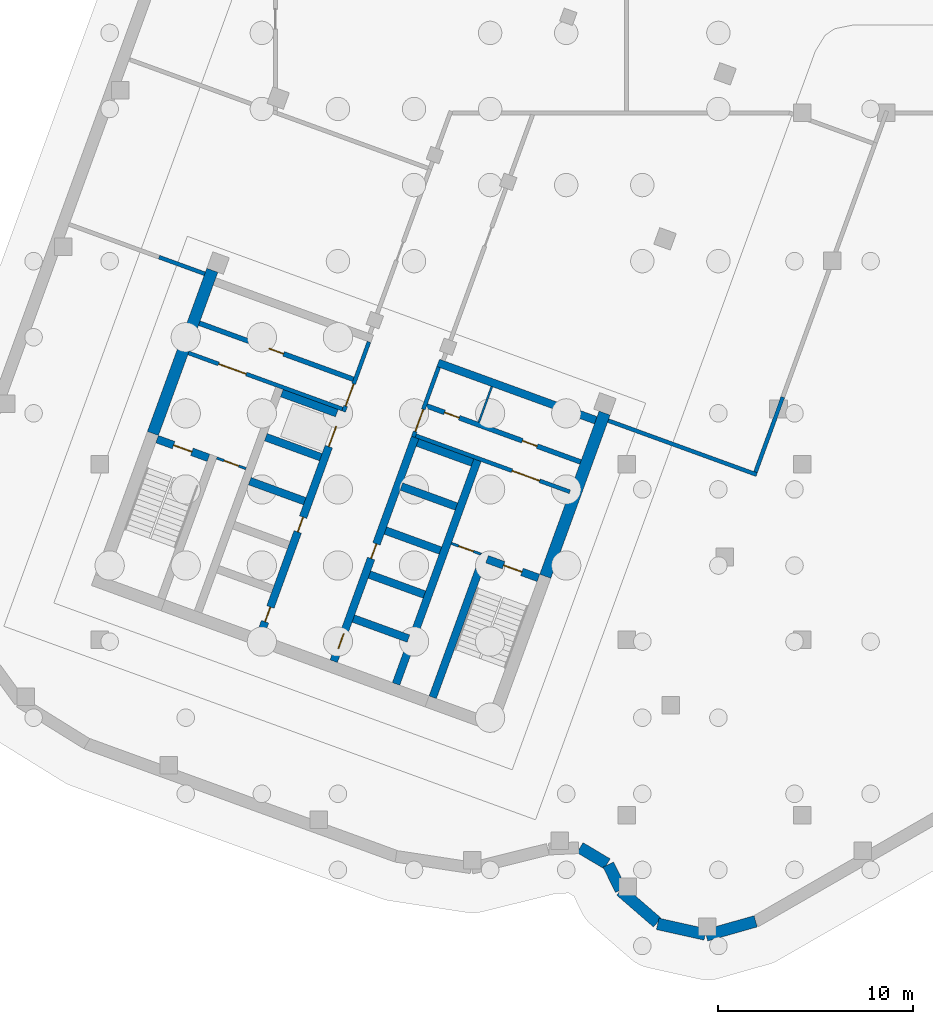
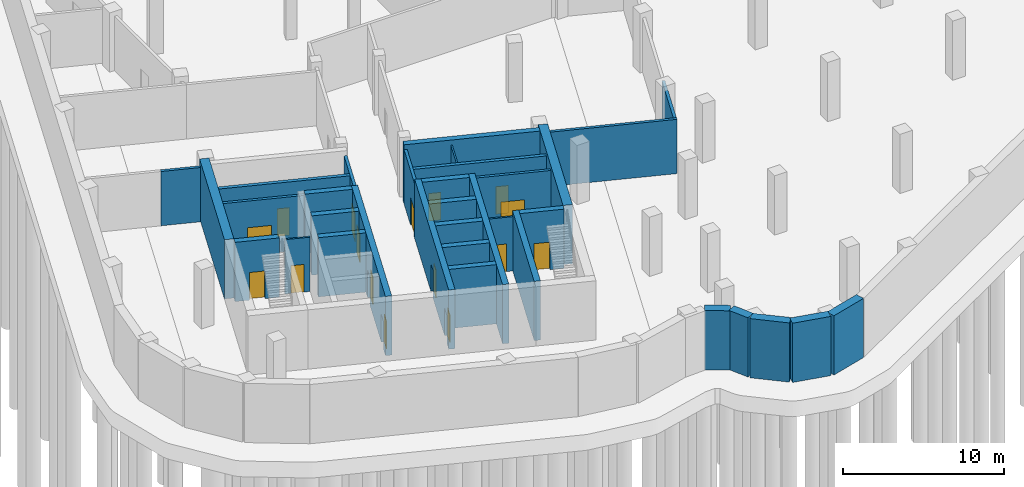
# One storey, part 5 of 18: 34 walls, 16 doors, 16 openings.
"""IFC4 building model written with IfcOpenShell, lengths in metres."""

from ifc_helpers import new_model, si_unit, direction, frame, frame_2d, origin, place, context, subcontext, project, spatial, rectangle, extrude, material, layer, layer_set, type_object, element, fill, save


model = new_model("IFC4")

# Units and contexts
model_context = context("Model", 3, precision=1e-05, world=origin(), true_north=direction((0.0, 1.0)))
body_context = subcontext(model_context, "Body", "Model", "MODEL_VIEW")
ifc_project = project(units=[si_unit("LENGTHUNIT", "METRE"), si_unit("AREAUNIT", "SQUARE_METRE"), si_unit("VOLUMEUNIT", "CUBIC_METRE"), si_unit("PLANEANGLEUNIT", "RADIAN"), si_unit("MASSUNIT", "GRAM", prefix="KILO")], contexts=[model_context])

# Site, building, storey
site_placement = place(None, origin())
site = spatial("IfcSite", under=ifc_project, at=site_placement, CompositionType="ELEMENT")
building_placement = place(site_placement, origin())
building = spatial("IfcBuilding", under=site, at=building_placement, Name="Skarvind Civic Tower", CompositionType="ELEMENT")
storey_placement = place(building_placement, frame((0.0, 0.0, -9.0)))
storey = spatial("IfcBuildingStorey", under=building, at=storey_placement, Name="B2", CompositionType="ELEMENT", Elevation=-9.0)

# Walls
ifc_material_1 = material(Name="Concrete C40", Category="concrete")
ifc_layer_1 = layer(ifc_material_1, 0.60009765625)
ifc_layer_set_1 = layer_set([ifc_layer_1], Name="Basement retaining wall 600 C40")
wall_type_1 = type_object("IfcWallType", Name="Basement retaining wall 600 C40", PredefinedType="SHEAR", material=ifc_layer_set_1)
wall_1_placement = place(storey_placement, frame((52.61181640625, 67.563232421875, 0.0), z_axis=(0.0, 0.0, 1.0), x_axis=(-0.962094751735, -0.272715398693, 0.0)))
element("IfcWall", 1, at=wall_1_placement, inside=storey, type_object=wall_type_1, Name="Basement retaining wall B2 1", PredefinedType="SHEAR", context=body_context, shape_type="SweptSolid", body=[
    extrude(rectangle(XDim=2.63720703125, YDim=0.60009765625, at=frame_2d((1.318603515625, 0.0))), origin(), (0.0, 0.0, 1.0), 4.5),
])
for number, where, z_axis, x_axis, name in (
    (2, (50.026123046875, 66.891845703125, 0.0), (0.0, 0.0, 1.0), (-0.976164051625, 0.217033970416, 0.0), "Basement retaining wall B2 2"),
    (3, (47.568603515625, 67.498779296875, 0.0), (0.0, 0.0, 1.0), (-0.755795518898, 0.654807707357, 0.0), "Basement retaining wall B2 3"),
):
    element("IfcWall", number, at=place(storey_placement, frame(where, z_axis=z_axis, x_axis=x_axis)), inside=storey, type_object=wall_type_1, Name=name, PredefinedType="SHEAR", context=body_context, shape_type="SweptSolid", body=[
        extrude(rectangle(XDim=2.497314453125, YDim=0.60009765625, at=frame_2d((1.24853515625, 0.0))), origin(), (0.0, 0.0, 1.0), 4.5),
    ])
wall_2_placement = place(storey_placement, frame((45.689208984375, 69.1728515625, 0.0), z_axis=(0.0, 0.0, 1.0), x_axis=(-0.435706421579, 0.900088836835, 0.0)))
element("IfcWall", 4, at=wall_2_placement, inside=storey, type_object=wall_type_1, Name="Basement retaining wall B2 4", PredefinedType="SHEAR", context=body_context, shape_type="SweptSolid", body=[
    extrude(rectangle(XDim=1.447265625, YDim=0.60009765625, at=frame_2d((0.7236328125, 0.0))), origin(), (0.0, 0.0, 1.0), 4.5),
])
wall_3_placement = place(storey_placement, frame((44.998291015625, 70.511474609375, 0.0), z_axis=(0.0, 0.0, 1.0), x_axis=(-0.859405023985, 0.511295418275, 0.0)))
element("IfcWall", 5, at=wall_3_placement, inside=storey, type_object=wall_type_1, Name="Basement retaining wall B2 5", PredefinedType="SHEAR", context=body_context, shape_type="SweptSolid", body=[
    extrude(rectangle(XDim=1.6171875, YDim=0.60009765625, at=frame_2d((0.80859375, 0.0))), origin(), (0.0, 0.0, 1.0), 4.5),
])

# Wall, opening, door
ifc_material_2 = material(Name="Fire-rated masonry partition", Category="masonry")
ifc_layer_2 = layer(ifc_material_2, 0.199951171875)
ifc_layer_set_2 = layer_set([ifc_layer_2], Name="Core enclosure wall 200")
wall_type_2 = type_object("IfcWallType", Name="Core enclosure wall 200", PredefinedType="PARTITIONING", material=ifc_layer_set_2)
wall_4_placement = place(storey_placement, frame((31.491455078125, 93.693359375, 0.0), z_axis=(0.0, 0.0, 1.0), x_axis=(0.341995824804, 0.939701471648, 0.0)))
wall_4 = element("IfcWall", 6, at=wall_4_placement, inside=storey, type_object=wall_type_2, Name="Core wall C2", PredefinedType="PARTITIONING", context=body_context, shape_type="SweptSolid", body=[
    extrude(rectangle(XDim=3.800048828125, YDim=0.199951171875, at=frame_2d((1.89990234375, 0.0))), origin(), (0.0, 0.0, 1.0), 4.125),
])
opening_1_placement = place(wall_4_placement, frame((0.300048828125, 0.0, 0.0)))
opening_1 = element("IfcOpeningElement", 7, at=opening_1_placement, cuts=wall_4, Name="Opening D-B2-C2-06", PredefinedType="OPENING", context=body_context, shape_type="SweptSolid", body=[
    extrude(rectangle(XDim=1.199951171875, YDim=2.10009765625, at=frame_2d((0.60009765625, 1.050048828125))), frame((0.0, 0.10986328125, 0.0), z_axis=(0.0, -1.0, 0.0), x_axis=(1.0, 0.0, 0.0)), (0.0, 0.0, 1.0), 0.219970703125),
])
ifc_material_3 = material(Name="Fire-rated steel door", Category="steel")
door_type_1 = type_object("IfcDoorType", Name="Core lobby door 1200", OperationType="NOTDEFINED", PredefinedType="DOOR", material=ifc_material_3)
door_1_placement = place(opening_1_placement, origin())
door_1 = element("IfcDoor", 8, at=door_1_placement, inside=storey, type_object=door_type_1, Name="Fire door", OperationType="DOUBLE_DOOR_SINGLE_SWING", OverallHeight=2.10009765625, OverallWidth=1.199951171875, PredefinedType="DOOR", context=body_context, shape_type="SweptSolid", body=[
    extrude(rectangle(XDim=1.199951171875, YDim=2.10009765625, at=frame_2d((0.60009765625, 1.050048828125))), frame((0.0, 0.02490234375, 0.0), z_axis=(0.0, -1.0, 0.0), x_axis=(1.0, 0.0, 0.0)), (0.0, 0.0, 1.0), 0.050048828125),
])
fill(opening_1, door_1)

wall_5_placement = place(storey_placement, frame((23.5380859375, 96.6943359375, 0.0), z_axis=(0.0, 0.0, 1.0), x_axis=(0.939691552312, -0.342023078919, 0.0)))
wall_5 = element("IfcWall", 9, at=wall_5_placement, inside=storey, type_object=wall_type_2, Name="Core wall C2", PredefinedType="PARTITIONING", context=body_context, shape_type="SweptSolid", body=[
    extrude(rectangle(XDim=8.400146484375, YDim=0.199951171875, at=frame_2d((4.2001953125, 0.0))), origin(), (0.0, 0.0, 1.0), 4.125),
])
opening_2_placement = place(wall_5_placement, frame((1.64990234375, 0.0, 0.0)))
opening_2 = element("IfcOpeningElement", 10, at=opening_2_placement, cuts=wall_5, Name="Opening D-B2-C2-07", PredefinedType="OPENING", context=body_context, shape_type="SweptSolid", body=[
    extrude(rectangle(XDim=1.5, YDim=2.10009765625, at=frame_2d((0.75, 1.050048828125))), frame((0.0, 0.10986328125, 0.0), z_axis=(0.0, -1.0, 0.0), x_axis=(1.0, 0.0, 0.0)), (0.0, 0.0, 1.0), 0.219970703125),
])
door_type_2 = type_object("IfcDoorType", Name="Fire door 1500", OperationType="NOTDEFINED", PredefinedType="DOOR", material=ifc_material_3)
door_2_placement = place(opening_2_placement, origin())
door_2 = element("IfcDoor", 11, at=door_2_placement, inside=storey, type_object=door_type_2, Name="Fire door", OperationType="DOUBLE_DOOR_SINGLE_SWING", OverallHeight=2.10009765625, OverallWidth=1.5, PredefinedType="DOOR", context=body_context, shape_type="SweptSolid", body=[
    extrude(rectangle(XDim=1.5, YDim=2.10009765625, at=frame_2d((0.75, 1.050048828125))), frame((0.0, 0.02490234375, 0.0), z_axis=(0.0, -1.0, 0.0), x_axis=(1.0, 0.0, 0.0)), (0.0, 0.0, 1.0), 0.050048828125),
])
fill(opening_2, door_2)

wall_6_placement = place(storey_placement, frame((36.36181640625, 95.96435546875, 0.0), z_axis=(0.0, 0.0, 1.0), x_axis=(-0.341995824804, -0.939701471648, 0.0)))
wall_6 = element("IfcWall", 12, at=wall_6_placement, inside=storey, type_object=wall_type_2, Name="Core wall C2", PredefinedType="PARTITIONING", context=body_context, shape_type="SweptSolid", body=[
    extrude(rectangle(XDim=3.800048828125, YDim=0.199951171875, at=frame_2d((1.89990234375, 0.0))), origin(), (0.0, 0.0, 1.0), 4.125),
])
opening_3_placement = place(wall_6_placement, frame((2.300048828125, 0.0, 0.0)))
opening_3 = element("IfcOpeningElement", 13, at=opening_3_placement, cuts=wall_6, Name="Opening D-B2-C2-11", PredefinedType="OPENING", context=body_context, shape_type="SweptSolid", body=[
    extrude(rectangle(XDim=1.199951171875, YDim=2.10009765625, at=frame_2d((0.60009765625, 1.050048828125))), frame((0.0, 0.10986328125, 0.0), z_axis=(0.0, -1.0, 0.0), x_axis=(1.0, 0.0, 0.0)), (0.0, 0.0, 1.0), 0.219970703125),
])
door_3_placement = place(opening_3_placement, origin())
door_3 = element("IfcDoor", 14, at=door_3_placement, inside=storey, type_object=door_type_1, Name="Fire door", OperationType="DOUBLE_DOOR_SINGLE_SWING", OverallHeight=2.10009765625, OverallWidth=1.199951171875, PredefinedType="DOOR", context=body_context, shape_type="SweptSolid", body=[
    extrude(rectangle(XDim=1.199951171875, YDim=2.10009765625, at=frame_2d((0.60009765625, 1.050048828125))), frame((0.0, 0.02490234375, 0.0), z_axis=(0.0, -1.0, 0.0), x_axis=(1.0, 0.0, 0.0)), (0.0, 0.0, 1.0), 0.050048828125),
])
fill(opening_3, door_3)

wall_7_placement = place(storey_placement, frame((35.1904296875, 92.453369140625, 0.0), z_axis=(0.0, 0.0, 1.0), x_axis=(0.939691552312, -0.342023078919, 0.0)))
wall_7 = element("IfcWall", 15, at=wall_7_placement, inside=storey, type_object=wall_type_2, Name="Core wall C2", PredefinedType="PARTITIONING", context=body_context, shape_type="SweptSolid", body=[
    extrude(rectangle(XDim=8.400146484375, YDim=0.199951171875, at=frame_2d((4.2001953125, 0.0))), origin(), (0.0, 0.0, 1.0), 4.125),
])
opening_4_placement = place(wall_7_placement, frame((5.25, 0.0, 0.0)))
opening_4 = element("IfcOpeningElement", 16, at=opening_4_placement, cuts=wall_7, Name="Opening D-B2-C2-12", PredefinedType="OPENING", context=body_context, shape_type="SweptSolid", body=[
    extrude(rectangle(XDim=1.5, YDim=2.10009765625, at=frame_2d((0.75, 1.050048828125))), frame((0.0, 0.10986328125, 0.0), z_axis=(0.0, -1.0, 0.0), x_axis=(1.0, 0.0, 0.0)), (0.0, 0.0, 1.0), 0.219970703125),
])
door_4_placement = place(opening_4_placement, origin())
door_4 = element("IfcDoor", 17, at=door_4_placement, inside=storey, type_object=door_type_2, Name="Fire door", OperationType="DOUBLE_DOOR_SINGLE_SWING", OverallHeight=2.10009765625, OverallWidth=1.5, PredefinedType="DOOR", context=body_context, shape_type="SweptSolid", body=[
    extrude(rectangle(XDim=1.5, YDim=2.10009765625, at=frame_2d((0.75, 1.050048828125))), frame((0.0, 0.02490234375, 0.0), z_axis=(0.0, -1.0, 0.0), x_axis=(1.0, 0.0, 0.0)), (0.0, 0.0, 1.0), 0.050048828125),
])
fill(opening_4, door_4)

# Walls
ifc_material_4 = material(Name="Fire-rated plasterboard partition")
ifc_layer_3 = layer(ifc_material_4, 0.10009765625)
ifc_layer_set_3 = layer_set([ifc_layer_3], Name="Core partition wall 100")
wall_type_3 = type_object("IfcWallType", Name="Core partition wall 100", PredefinedType="PARTITIONING", material=ifc_layer_set_3)
wall_8_placement = place(storey_placement, frame((39.087158203125, 94.97265625, 0.0), z_axis=(0.0, 0.0, 1.0), x_axis=(-0.342024501273, -0.939691034611, 0.0)))
element("IfcWall", 18, at=wall_8_placement, inside=storey, type_object=wall_type_3, Name="Core wall C2", PredefinedType="PARTITIONING", context=body_context, shape_type="SweptSolid", body=[
    extrude(rectangle(XDim=1.9501953125, YDim=0.10009765625, at=frame_2d((0.97509765625, 0.0))), origin(), (0.0, 0.0, 1.0), 4.125),
])
ifc_material_5 = material(Name="Concrete C80", Category="concrete")
ifc_layer_4 = layer(ifc_material_5, 0.39990234375)
ifc_layer_set_4 = layer_set([ifc_layer_4], Name="Core wall 400 C80")
wall_type_4 = type_object("IfcWallType", Name="Core wall 400 C80", PredefinedType="SHEAR", material=ifc_layer_set_4)
wall_9_placement = place(storey_placement, frame((36.057861328125, 79.04833984375, 0.0), z_axis=(0.0, 0.0, 1.0), x_axis=(0.342016982193, 0.939693771338, 0.0)))
element("IfcWall", 19, at=wall_9_placement, inside=storey, type_object=wall_type_4, Name="Core wall C2 south stair inner B2", PredefinedType="SHEAR", context=body_context, shape_type="SweptSolid", body=[
    extrude(rectangle(XDim=7.800048828125, YDim=0.39990234375, at=frame_2d((3.89990234375, 0.0))), origin(), (0.0, 0.0, 1.0), 4.5),
])

# Wall, opening, door
wall_10_placement = place(storey_placement, frame((41.476318359375, 85.163818359375, 0.0), z_axis=(0.0, 0.0, 1.0), x_axis=(-0.939678810556, 0.342058084236, 0.0)))
wall_10 = element("IfcWall", 20, at=wall_10_placement, inside=storey, type_object=wall_type_4, Name="Core wall C2 south stair end B2", PredefinedType="SHEAR", context=body_context, shape_type="SweptSolid", body=[
    extrude(rectangle(XDim=2.800048828125, YDim=0.39990234375, at=frame_2d((1.39990234375, 0.0))), origin(), (0.0, 0.0, 1.0), 4.5),
])
opening_5_placement = place(wall_10_placement, frame((0.89990234375, 0.0, 0.0)))
opening_5 = element("IfcOpeningElement", 21, at=opening_5_placement, cuts=wall_10, Name="Opening D-B2-C2-13", PredefinedType="OPENING", context=body_context, shape_type="SweptSolid", body=[
    extrude(rectangle(XDim=1.0, YDim=2.10009765625, at=frame_2d((0.5, 1.050048828125))), frame((0.0, 0.2099609375, 0.0), z_axis=(0.0, -1.0, 0.0), x_axis=(1.0, 0.0, 0.0)), (0.0, 0.0, 1.0), 0.419921875),
])
door_type_3 = type_object("IfcDoorType", Name="Fire door 1000", OperationType="NOTDEFINED", PredefinedType="DOOR", material=ifc_material_3)
door_5_placement = place(opening_5_placement, origin())
door_5 = element("IfcDoor", 22, at=door_5_placement, inside=storey, type_object=door_type_3, Name="Fire door", OperationType="SINGLE_SWING_RIGHT", OverallHeight=2.10009765625, OverallWidth=1.0, PredefinedType="DOOR", context=body_context, shape_type="SweptSolid", body=[
    extrude(rectangle(XDim=1.0, YDim=2.10009765625, at=frame_2d((0.5, 1.050048828125))), frame((0.0, 0.02490234375, 0.0), z_axis=(0.0, -1.0, 0.0), x_axis=(1.0, 0.0, 0.0)), (0.0, 0.0, 1.0), 0.050048828125),
])
fill(opening_5, door_5)

wall_11_placement = place(storey_placement, frame((24.56201171875, 91.3203125, 0.0), z_axis=(0.0, 0.0, 1.0), x_axis=(-0.939717030584, 0.341953070509, 0.0)))
wall_11 = element("IfcWall", 23, at=wall_11_placement, inside=storey, type_object=wall_type_4, Name="Core wall C2 north stair end B2", PredefinedType="SHEAR", context=body_context, shape_type="SweptSolid", body=[
    extrude(rectangle(XDim=2.800048828125, YDim=0.39990234375, at=frame_2d((1.39990234375, 0.0))), origin(), (0.0, 0.0, 1.0), 4.5),
])
opening_6_placement = place(wall_11_placement, frame((0.89990234375, 0.0, 0.0)))
opening_6 = element("IfcOpeningElement", 24, at=opening_6_placement, cuts=wall_11, Name="Opening D-B2-C2-08", PredefinedType="OPENING", context=body_context, shape_type="SweptSolid", body=[
    extrude(rectangle(XDim=1.0, YDim=2.10009765625, at=frame_2d((0.5, 1.050048828125))), frame((0.0, 0.2099609375, 0.0), z_axis=(0.0, -1.0, 0.0), x_axis=(1.0, 0.0, 0.0)), (0.0, 0.0, 1.0), 0.419921875),
])
door_6_placement = place(opening_6_placement, origin())
door_6 = element("IfcDoor", 25, at=door_6_placement, inside=storey, type_object=door_type_3, Name="Fire door", OperationType="SINGLE_SWING_LEFT", OverallHeight=2.10009765625, OverallWidth=1.0, PredefinedType="DOOR", context=body_context, shape_type="SweptSolid", body=[
    extrude(rectangle(XDim=1.0, YDim=2.10009765625, at=frame_2d((0.5, 1.050048828125))), frame((0.0, 0.02490234375, 0.0), z_axis=(0.0, -1.0, 0.0), x_axis=(1.0, 0.0, 0.0)), (0.0, 0.0, 1.0), 0.050048828125),
])
fill(opening_6, door_6)

# Wall, openings, doors
wall_12_placement = place(storey_placement, frame((30.983642578125, 80.895263671875, 0.0), z_axis=(0.0, 0.0, 1.0), x_axis=(0.342021021735, 0.939692301071, 0.0)))
wall_12 = element("IfcWall", 26, at=wall_12_placement, inside=storey, type_object=wall_type_4, Name="Core wall C2 south lift row front B2", PredefinedType="SHEAR", context=body_context, shape_type="SweptSolid", body=[
    extrude(rectangle(XDim=12.199951171875, YDim=0.39990234375, at=frame_2d((6.10009765625, 0.0))), origin(), (0.0, 0.0, 1.0), 4.5),
])
opening_7_placement = place(wall_12_placement, frame((0.699951171875, 0.0, 0.0)))
opening_7 = element("IfcOpeningElement", 27, at=opening_7_placement, cuts=wall_12, Name="Opening D-B2-C2-04", PredefinedType="OPENING", context=body_context, shape_type="SweptSolid", body=[
    extrude(rectangle(XDim=0.800048828125, YDim=2.10009765625, at=frame_2d((0.39990234375, 1.050048828125))), frame((0.0, 0.2099609375, 0.0), z_axis=(0.0, -1.0, 0.0), x_axis=(1.0, 0.0, 0.0)), (0.0, 0.0, 1.0), 0.419921875),
])
opening_8_placement = place(wall_12_placement, frame((5.60009765625, 0.0, 0.0)))
opening_8 = element("IfcOpeningElement", 28, at=opening_8_placement, cuts=wall_12, Name="Opening D-B2-C2-05", PredefinedType="OPENING", context=body_context, shape_type="SweptSolid", body=[
    extrude(rectangle(XDim=0.800048828125, YDim=2.10009765625, at=frame_2d((0.39990234375, 1.050048828125))), frame((0.0, 0.2099609375, 0.0), z_axis=(0.0, -1.0, 0.0), x_axis=(1.0, 0.0, 0.0)), (0.0, 0.0, 1.0), 0.419921875),
])
door_type_4 = type_object("IfcDoorType", Name="Core riser door 800", OperationType="NOTDEFINED", PredefinedType="DOOR", material=ifc_material_3)
door_7_placement = place(opening_7_placement, origin())
door_7 = element("IfcDoor", 29, at=door_7_placement, inside=storey, type_object=door_type_4, Name="Riser door", OperationType="SINGLE_SWING_LEFT", OverallHeight=2.10009765625, OverallWidth=0.800048828125, PredefinedType="DOOR", context=body_context, shape_type="SweptSolid", body=[
    extrude(rectangle(XDim=0.800048828125, YDim=2.10009765625, at=frame_2d((0.39990234375, 1.050048828125))), frame((0.0, 0.02490234375, 0.0), z_axis=(0.0, -1.0, 0.0), x_axis=(1.0, 0.0, 0.0)), (0.0, 0.0, 1.0), 0.050048828125),
])
fill(opening_7, door_7)
door_8_placement = place(opening_8_placement, origin())
door_8 = element("IfcDoor", 30, at=door_8_placement, inside=storey, type_object=door_type_4, Name="Riser door", OperationType="SINGLE_SWING_RIGHT", OverallHeight=2.10009765625, OverallWidth=0.800048828125, PredefinedType="DOOR", context=body_context, shape_type="SweptSolid", body=[
    extrude(rectangle(XDim=0.800048828125, YDim=2.10009765625, at=frame_2d((0.39990234375, 1.050048828125))), frame((0.0, 0.02490234375, 0.0), z_axis=(0.0, -1.0, 0.0), x_axis=(1.0, 0.0, 0.0)), (0.0, 0.0, 1.0), 0.050048828125),
])
fill(opening_8, door_8)

# Walls
wall_13_placement = place(storey_placement, frame((34.178466796875, 79.732177734375, 0.0), z_axis=(0.0, 0.0, 1.0), x_axis=(0.342014590177, 0.939694641948, 0.0)))
element("IfcWall", 31, at=wall_13_placement, inside=storey, type_object=wall_type_4, Name="Core wall C2 south lift row back B2", PredefinedType="SHEAR", context=body_context, shape_type="SweptSolid", body=[
    extrude(rectangle(XDim=12.2001953125, YDim=0.39990234375, at=frame_2d((6.10009765625, 0.0))), origin(), (0.0, 0.0, 1.0), 4.5),
])
for number, where, z_axis, x_axis, name in (
    (32, (34.8115234375, 82.055908203125, 0.0), (0.0, 0.0, 1.0), (-0.939686455819, 0.342037080957, 0.0), "Core wall C2 south lift row division 1 B2"),
    (33, (35.63232421875, 84.311279296875, 0.0), (0.0, 0.0, 1.0), (-0.939712609717, 0.341965219194, 0.0), "Core wall C2 south lift row division 2 B2"),
    (34, (36.453125, 86.56640625, 0.0), (0.0, 0.0, 1.0), (-0.939686455819, 0.342037080957, 0.0), "Core wall C2 south lift row division 3 B2"),
    (35, (37.27392578125, 88.82177734375, 0.0), (0.0, 0.0, 1.0), (-0.939686455819, 0.342037080957, 0.0), "Core wall C2 south lift row division 4 B2"),
):
    element("IfcWall", number, at=place(storey_placement, frame(where, z_axis=z_axis, x_axis=x_axis)), inside=storey, type_object=wall_type_4, Name=name, PredefinedType="SHEAR", context=body_context, shape_type="SweptSolid", body=[
        extrude(rectangle(XDim=3.0, YDim=0.39990234375, at=frame_2d((1.5, 0.0))), origin(), (0.0, 0.0, 1.0), 4.5),
    ])
wall_14_placement = place(storey_placement, frame((38.0947265625, 91.076904296875, 0.0), z_axis=(0.0, 0.0, 1.0), x_axis=(-0.939676934218, 0.342063238742, 0.0)))
element("IfcWall", 36, at=wall_14_placement, inside=storey, type_object=wall_type_4, Name="Core wall C2 south lift row division 5 B2", PredefinedType="SHEAR", context=body_context, shape_type="SweptSolid", body=[
    extrude(rectangle(XDim=2.999755859375, YDim=0.39990234375, at=frame_2d((1.5, 0.0))), origin(), (0.0, 0.0, 1.0), 4.5),
])

# Wall, openings, doors
wall_15_placement = place(storey_placement, frame((27.224853515625, 82.26318359375, 0.0), z_axis=(0.0, 0.0, 1.0), x_axis=(0.342014590177, 0.939694641948, 0.0)))
wall_15 = element("IfcWall", 37, at=wall_15_placement, inside=storey, type_object=wall_type_4, Name="Core wall C2 north lift row front B2", PredefinedType="SHEAR", context=body_context, shape_type="SweptSolid", body=[
    extrude(rectangle(XDim=12.2001953125, YDim=0.39990234375, at=frame_2d((6.10009765625, 0.0))), origin(), (0.0, 0.0, 1.0), 4.5),
])
opening_9_placement = place(wall_15_placement, frame((10.25, 0.0, 0.0)))
opening_9 = element("IfcOpeningElement", 38, at=opening_9_placement, cuts=wall_15, Name="Opening LD00205", PredefinedType="OPENING", context=body_context, shape_type="SweptSolid", body=[
    extrude(rectangle(XDim=1.10009765625, YDim=2.10009765625, at=frame_2d((0.550048828125, 1.050048828125))), frame((0.0, 0.2099609375, 0.0), z_axis=(0.0, -1.0, 0.0), x_axis=(1.0, 0.0, 0.0)), (0.0, 0.0, 1.0), 0.419921875),
])
opening_10_placement = place(wall_15_placement, frame((0.699951171875, 0.0, 0.0)))
opening_10 = element("IfcOpeningElement", 39, at=opening_10_placement, cuts=wall_15, Name="Opening D-B2-C2-02", PredefinedType="OPENING", context=body_context, shape_type="SweptSolid", body=[
    extrude(rectangle(XDim=0.800048828125, YDim=2.10009765625, at=frame_2d((0.39990234375, 1.050048828125))), frame((0.0, 0.2099609375, 0.0), z_axis=(0.0, -1.0, 0.0), x_axis=(1.0, 0.0, 0.0)), (0.0, 0.0, 1.0), 0.419921875),
])
opening_11_placement = place(wall_15_placement, frame((5.60009765625, 0.0, 0.0)))
opening_11 = element("IfcOpeningElement", 40, at=opening_11_placement, cuts=wall_15, Name="Opening D-B2-C2-03", PredefinedType="OPENING", context=body_context, shape_type="SweptSolid", body=[
    extrude(rectangle(XDim=0.800048828125, YDim=2.10009765625, at=frame_2d((0.39990234375, 1.050048828125))), frame((0.0, 0.2099609375, 0.0), z_axis=(0.0, -1.0, 0.0), x_axis=(1.0, 0.0, 0.0)), (0.0, 0.0, 1.0), 0.419921875),
])
door_9_placement = place(opening_10_placement, origin())
door_9 = element("IfcDoor", 41, at=door_9_placement, inside=storey, type_object=door_type_4, Name="Riser door", OperationType="SINGLE_SWING_LEFT", OverallHeight=2.10009765625, OverallWidth=0.800048828125, PredefinedType="DOOR", context=body_context, shape_type="SweptSolid", body=[
    extrude(rectangle(XDim=0.800048828125, YDim=2.10009765625, at=frame_2d((0.39990234375, 1.050048828125))), frame((0.0, 0.02490234375, 0.0), z_axis=(0.0, -1.0, 0.0), x_axis=(1.0, 0.0, 0.0)), (0.0, 0.0, 1.0), 0.050048828125),
])
fill(opening_10, door_9)
door_10_placement = place(opening_11_placement, origin())
door_10 = element("IfcDoor", 42, at=door_10_placement, inside=storey, type_object=door_type_4, Name="Riser door", OperationType="SINGLE_SWING_RIGHT", OverallHeight=2.10009765625, OverallWidth=0.800048828125, PredefinedType="DOOR", context=body_context, shape_type="SweptSolid", body=[
    extrude(rectangle(XDim=0.800048828125, YDim=2.10009765625, at=frame_2d((0.39990234375, 1.050048828125))), frame((0.0, 0.02490234375, 0.0), z_axis=(0.0, -1.0, 0.0), x_axis=(1.0, 0.0, 0.0)), (0.0, 0.0, 1.0), 0.050048828125),
])
fill(opening_11, door_10)
ifc_material_6 = material(Name="Stainless steel landing door", Category="steel")
door_type_5 = type_object("IfcDoorType", Name="Lift landing door 1100", OperationType="DOUBLE_DOOR_SLIDING", PredefinedType="DOOR", material=ifc_material_6)
door_11_placement = place(opening_9_placement, origin())
door_11 = element("IfcDoor", 43, at=door_11_placement, inside=storey, type_object=door_type_5, Name="Lift landing door", OperationType="DOUBLE_DOOR_SLIDING", OverallHeight=2.10009765625, OverallWidth=1.10009765625, PredefinedType="DOOR", context=body_context, shape_type="SweptSolid", body=[
    extrude(rectangle(XDim=1.10009765625, YDim=2.10009765625, at=frame_2d((0.550048828125, 1.050048828125))), frame((0.0, 0.02490234375, 0.0), z_axis=(0.0, -1.0, 0.0), x_axis=(1.0, 0.0, 0.0)), (0.0, 0.0, 1.0), 0.050048828125),
])
fill(opening_9, door_11)

# Walls
for number, where, z_axis, x_axis, name in (
    (44, (29.49951171875, 89.097412109375, 0.0), (0.0, 0.0, 1.0), (-0.939686455819, 0.342037080957, 0.0), "Core wall C2 north lift row division 3 B2"),
    (45, (30.3203125, 91.352783203125, 0.0), (0.0, 0.0, 1.0), (-0.939712609717, 0.341965219194, 0.0), "Core wall C2 north lift row division 4 B2"),
    (46, (31.14111328125, 93.60791015625, 0.0), (0.0, 0.0, 1.0), (-0.939686455819, 0.342037080957, 0.0), "Core wall C2 north lift row division 5 B2"),
):
    element("IfcWall", number, at=place(storey_placement, frame(where, z_axis=z_axis, x_axis=x_axis)), inside=storey, type_object=wall_type_4, Name=name, PredefinedType="SHEAR", context=body_context, shape_type="SweptSolid", body=[
        extrude(rectangle(XDim=3.0, YDim=0.39990234375, at=frame_2d((1.5, 0.0))), origin(), (0.0, 0.0, 1.0), 4.5),
    ])
wall_16_placement = place(storey_placement, frame((44.417724609375, 93.2451171875, 0.0), z_axis=(0.0, 0.0, 1.0), x_axis=(-0.93969060187, 0.342025690201, 0.0)))
element("IfcWall", 47, at=wall_16_placement, inside=storey, type_object=wall_type_4, Name="Core wall C2 south inner face B2", PredefinedType="SHEAR", context=body_context, shape_type="SweptSolid", body=[
    extrude(rectangle(XDim=8.599853515625, YDim=0.39990234375, at=frame_2d((4.2998046875, 0.0))), origin(), (0.0, 0.0, 1.0), 4.5),
])
ifc_layer_5 = layer(ifc_material_5, 0.60009765625)
ifc_layer_set_5 = layer_set([ifc_layer_5], Name="Core wall 600 C80")
wall_type_5 = type_object("IfcWallType", Name="Core wall 600 C80", PredefinedType="SHEAR", material=ifc_layer_set_5)
for number, where, z_axis, x_axis, name in (
    (48, (41.82666015625, 85.249267578125, 0.0), (0.0, 0.0, 1.0), (0.342016162452, 0.939694069696, 0.0), "Core wall C2 south side B2"),
    (49, (21.71728515625, 92.568359375, 0.0), (0.0, 0.0, 1.0), (0.342016162452, 0.939694069696, 0.0), "Core wall C2 north side B2"),
):
    element("IfcWall", number, at=place(storey_placement, frame(where, z_axis=z_axis, x_axis=x_axis)), inside=storey, type_object=wall_type_5, Name=name, PredefinedType="SHEAR", context=body_context, shape_type="SweptSolid", body=[
        extrude(rectangle(XDim=8.89990234375, YDim=0.60009765625, at=frame_2d((4.449951171875, 0.0))), origin(), (0.0, 0.0, 1.0), 4.5),
    ])
ifc_material_7 = material(Name="Fire-rated blockwork wall, plastered", Category="masonry")
ifc_layer_6 = layer(ifc_material_7, 0.199951171875)
ifc_layer_set_6 = layer_set([ifc_layer_6], Name="FIRE WALL 200 EI 60")
wall_type_6 = type_object("IfcWallType", Name="FIRE WALL 200 EI 60", PredefinedType="PARTITIONING", material=ifc_layer_set_6)
wall_17_placement = place(storey_placement, frame((22.028076171875, 101.60791015625, 0.0), z_axis=(0.0, 0.0, 1.0), x_axis=(0.939559396653, -0.342385952049, 0.0)))
element("IfcWall", 50, at=wall_17_placement, inside=storey, type_object=wall_type_6, Name="Basement partition B2 003", PredefinedType="PARTITIONING", context=body_context, shape_type="SweptSolid", body=[
    extrude(rectangle(XDim=2.5, YDim=0.199951171875, at=frame_2d((1.25, 0.0))), origin(), (0.0, 0.0, 1.0), 4.125),
])
wall_18_placement = place(storey_placement, frame((45.050048828125, 93.22802734375, 0.0), z_axis=(0.0, 0.0, 1.0), x_axis=(0.939696574218, -0.342009281166, 0.0)))
element("IfcWall", 51, at=wall_18_placement, inside=storey, type_object=wall_type_6, Name="Basement partition B2 016", PredefinedType="PARTITIONING", context=body_context, shape_type="SweptSolid", body=[
    extrude(rectangle(XDim=8.099365234375, YDim=0.199951171875, at=frame_2d((4.0498046875, 0.0))), origin(), (0.0, 0.0, 1.0), 4.125),
])
wall_19_placement = place(storey_placement, frame((52.60107421875, 90.5859375, 0.0), z_axis=(0.0, 0.0, 1.0), x_axis=(0.342059390164, 0.939678335177, 0.0)))
element("IfcWall", 52, at=wall_19_placement, inside=storey, type_object=wall_type_6, Name="Basement partition B2 020", PredefinedType="PARTITIONING", context=body_context, shape_type="SweptSolid", body=[
    extrude(rectangle(XDim=4.089599609375, YDim=0.199951171875, at=frame_2d((2.044921875, 0.0))), origin(), (0.0, 0.0, 1.0), 4.125),
])

# Wall, opening, door
ifc_layer_7 = layer(ifc_material_2, 0.125)
ifc_layer_set_7 = layer_set([ifc_layer_7], Name="Riser wall 125")
wall_type_7 = type_object("IfcWallType", Name="Riser wall 125", PredefinedType="PARTITIONING", material=ifc_layer_set_7)
wall_20_placement = place(storey_placement, frame((24.98486328125, 91.3125, 0.0), z_axis=(0.0, 0.0, 1.0), x_axis=(0.939708740826, -0.341975850632, 0.0)))
wall_20 = element("IfcWall", 53, at=wall_20_placement, inside=storey, type_object=wall_type_7, Name="Core wall C2", PredefinedType="PARTITIONING", context=body_context, shape_type="SweptSolid", body=[
    extrude(rectangle(XDim=1.599853515625, YDim=0.125, at=frame_2d((0.7998046875, 0.0))), origin(), (0.0, 0.0, 1.0), 4.125),
])
opening_12_placement = place(wall_20_placement, frame((0.39990234375, 0.0, 0.0)))
opening_12 = element("IfcOpeningElement", 54, at=opening_12_placement, cuts=wall_20, Name="Opening D-B2-C2-09", PredefinedType="OPENING", context=body_context, shape_type="SweptSolid", body=[
    extrude(rectangle(XDim=0.800048828125, YDim=2.10009765625, at=frame_2d((0.39990234375, 1.050048828125))), frame((0.0, 0.072509765625, 0.0), z_axis=(0.0, -1.0, 0.0), x_axis=(1.0, 0.0, 0.0)), (0.0, 0.0, 1.0), 0.14501953125),
])
door_12_placement = place(opening_12_placement, origin())
door_12 = element("IfcDoor", 55, at=door_12_placement, inside=storey, type_object=door_type_4, Name="Riser door", OperationType="SINGLE_SWING_RIGHT", OverallHeight=2.10009765625, OverallWidth=0.800048828125, PredefinedType="DOOR", context=body_context, shape_type="SweptSolid", body=[
    extrude(rectangle(XDim=0.800048828125, YDim=2.10009765625, at=frame_2d((0.39990234375, 1.050048828125))), frame((0.0, 0.02490234375, 0.0), z_axis=(0.0, -1.0, 0.0), x_axis=(1.0, 0.0, 0.0)), (0.0, 0.0, 1.0), 0.050048828125),
])
fill(opening_12, door_12)

wall_21_placement = place(storey_placement, frame((37.012939453125, 86.934814453125, 0.0), z_axis=(0.0, 0.0, 1.0), x_axis=(0.939659694648, -0.342110593602, 0.0)))
wall_21 = element("IfcWall", 56, at=wall_21_placement, inside=storey, type_object=wall_type_7, Name="Core wall C2", PredefinedType="PARTITIONING", context=body_context, shape_type="SweptSolid", body=[
    extrude(rectangle(XDim=1.599853515625, YDim=0.125, at=frame_2d((0.7998046875, 0.0))), origin(), (0.0, 0.0, 1.0), 4.125),
])
opening_13_placement = place(wall_21_placement, frame((0.39990234375, 0.0, 0.0)))
opening_13 = element("IfcOpeningElement", 57, at=opening_13_placement, cuts=wall_21, Name="Opening D-B2-C2-14", PredefinedType="OPENING", context=body_context, shape_type="SweptSolid", body=[
    extrude(rectangle(XDim=0.800048828125, YDim=2.10009765625, at=frame_2d((0.39990234375, 1.050048828125))), frame((0.0, 0.072509765625, 0.0), z_axis=(0.0, -1.0, 0.0), x_axis=(1.0, 0.0, 0.0)), (0.0, 0.0, 1.0), 0.14501953125),
])
door_13_placement = place(opening_13_placement, origin())
door_13 = element("IfcDoor", 58, at=door_13_placement, inside=storey, type_object=door_type_4, Name="Riser door", OperationType="SINGLE_SWING_LEFT", OverallHeight=2.10009765625, OverallWidth=0.800048828125, PredefinedType="DOOR", context=body_context, shape_type="SweptSolid", body=[
    extrude(rectangle(XDim=0.800048828125, YDim=2.10009765625, at=frame_2d((0.39990234375, 1.050048828125))), frame((0.0, 0.02490234375, 0.0), z_axis=(0.0, -1.0, 0.0), x_axis=(1.0, 0.0, 0.0)), (0.0, 0.0, 1.0), 0.050048828125),
])
fill(opening_13, door_13)

ifc_layer_8 = layer(ifc_material_2, 0.25)
ifc_layer_set_8 = layer_set([ifc_layer_8], Name="Service block wall 250")
wall_type_8 = type_object("IfcWallType", Name="Service block wall 250", PredefinedType="PARTITIONING", material=ifc_layer_set_8)
wall_22_placement = place(storey_placement, frame((24.093994140625, 98.221435546875, 0.0), z_axis=(0.0, 0.0, 1.0), x_axis=(0.939691552312, -0.342023078919, 0.0)))
wall_22 = element("IfcWall", 59, at=wall_22_placement, inside=storey, type_object=wall_type_8, Name="Core wall C2", PredefinedType="PARTITIONING", context=body_context, shape_type="SweptSolid", body=[
    extrude(rectangle(XDim=8.400146484375, YDim=0.25, at=frame_2d((4.2001953125, 0.0))), origin(), (0.0, 0.0, 1.0), 4.125),
])
opening_14_placement = place(wall_22_placement, frame((3.800048828125, 0.0, 0.0)))
opening_14 = element("IfcOpeningElement", 60, at=opening_14_placement, cuts=wall_22, Name="Opening D-B2-C2-10", PredefinedType="OPENING", context=body_context, shape_type="SweptSolid", body=[
    extrude(rectangle(XDim=0.800048828125, YDim=2.10009765625, at=frame_2d((0.39990234375, 1.050048828125))), frame((0.0, 0.135009765625, 0.0), z_axis=(0.0, -1.0, 0.0), x_axis=(1.0, 0.0, 0.0)), (0.0, 0.0, 1.0), 0.27001953125),
])
door_14_placement = place(opening_14_placement, origin())
door_14 = element("IfcDoor", 61, at=door_14_placement, inside=storey, type_object=door_type_4, Name="Riser door", OperationType="SINGLE_SWING_LEFT", OverallHeight=2.10009765625, OverallWidth=0.800048828125, PredefinedType="DOOR", context=body_context, shape_type="SweptSolid", body=[
    extrude(rectangle(XDim=0.800048828125, YDim=2.10009765625, at=frame_2d((0.39990234375, 1.050048828125))), frame((0.0, 0.02490234375, 0.0), z_axis=(0.0, -1.0, 0.0), x_axis=(1.0, 0.0, 0.0)), (0.0, 0.0, 1.0), 0.050048828125),
])
fill(opening_14, door_14)

# Wall, openings, doors
wall_23_placement = place(storey_placement, frame((35.74609375, 93.98046875, 0.0), z_axis=(0.0, 0.0, 1.0), x_axis=(0.939691552312, -0.342023078919, 0.0)))
wall_23 = element("IfcWall", 62, at=wall_23_placement, inside=storey, type_object=wall_type_8, Name="Core wall C2", PredefinedType="PARTITIONING", context=body_context, shape_type="SweptSolid", body=[
    extrude(rectangle(XDim=8.400146484375, YDim=0.25, at=frame_2d((4.2001953125, 0.0))), origin(), (0.0, 0.0, 1.0), 4.125),
])
opening_15_placement = place(wall_23_placement, frame((0.97509765625, 0.0, 0.0)))
opening_15 = element("IfcOpeningElement", 63, at=opening_15_placement, cuts=wall_23, Name="Opening D-B2-C2-15", PredefinedType="OPENING", context=body_context, shape_type="SweptSolid", body=[
    extrude(rectangle(XDim=0.800048828125, YDim=2.10009765625, at=frame_2d((0.39990234375, 1.050048828125))), frame((0.0, 0.135009765625, 0.0), z_axis=(0.0, -1.0, 0.0), x_axis=(1.0, 0.0, 0.0)), (0.0, 0.0, 1.0), 0.27001953125),
])
opening_16_placement = place(wall_23_placement, frame((5.22509765625, 0.0, 0.0)))
opening_16 = element("IfcOpeningElement", 64, at=opening_16_placement, cuts=wall_23, Name="Opening D-B2-C2-16", PredefinedType="OPENING", context=body_context, shape_type="SweptSolid", body=[
    extrude(rectangle(XDim=0.800048828125, YDim=2.10009765625, at=frame_2d((0.39990234375, 1.050048828125))), frame((0.0, 0.135009765625, 0.0), z_axis=(0.0, -1.0, 0.0), x_axis=(1.0, 0.0, 0.0)), (0.0, 0.0, 1.0), 0.27001953125),
])
door_15_placement = place(opening_15_placement, origin())
door_15 = element("IfcDoor", 65, at=door_15_placement, inside=storey, type_object=door_type_4, Name="Riser door", OperationType="SINGLE_SWING_RIGHT", OverallHeight=2.10009765625, OverallWidth=0.800048828125, PredefinedType="DOOR", context=body_context, shape_type="SweptSolid", body=[
    extrude(rectangle(XDim=0.800048828125, YDim=2.10009765625, at=frame_2d((0.39990234375, 1.050048828125))), frame((0.0, 0.02490234375, 0.0), z_axis=(0.0, -1.0, 0.0), x_axis=(1.0, 0.0, 0.0)), (0.0, 0.0, 1.0), 0.050048828125),
])
fill(opening_15, door_15)
door_16_placement = place(opening_16_placement, origin())
door_16 = element("IfcDoor", 66, at=door_16_placement, inside=storey, type_object=door_type_4, Name="Riser door", OperationType="SINGLE_SWING_LEFT", OverallHeight=2.10009765625, OverallWidth=0.800048828125, PredefinedType="DOOR", context=body_context, shape_type="SweptSolid", body=[
    extrude(rectangle(XDim=0.800048828125, YDim=2.10009765625, at=frame_2d((0.39990234375, 1.050048828125))), frame((0.0, 0.02490234375, 0.0), z_axis=(0.0, -1.0, 0.0), x_axis=(1.0, 0.0, 0.0)), (0.0, 0.0, 1.0), 0.050048828125),
])
fill(opening_16, door_16)

save(model, "model.ifc")
